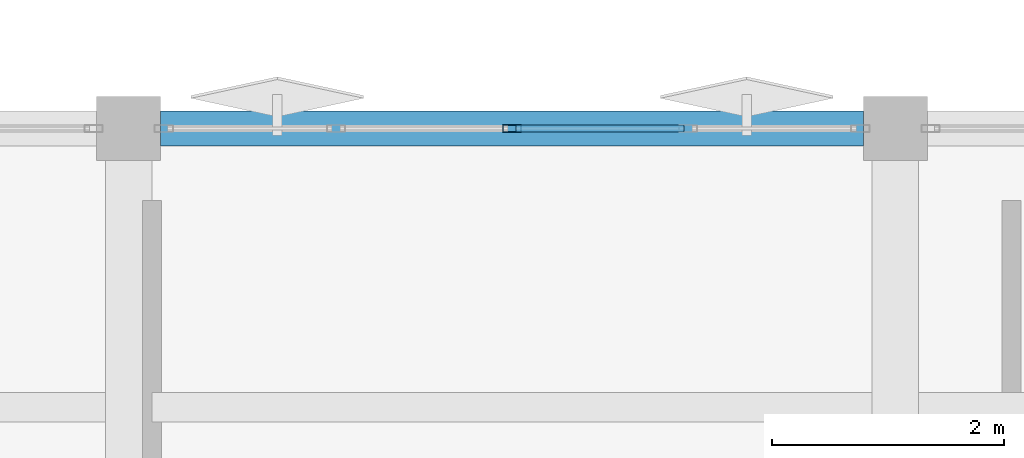
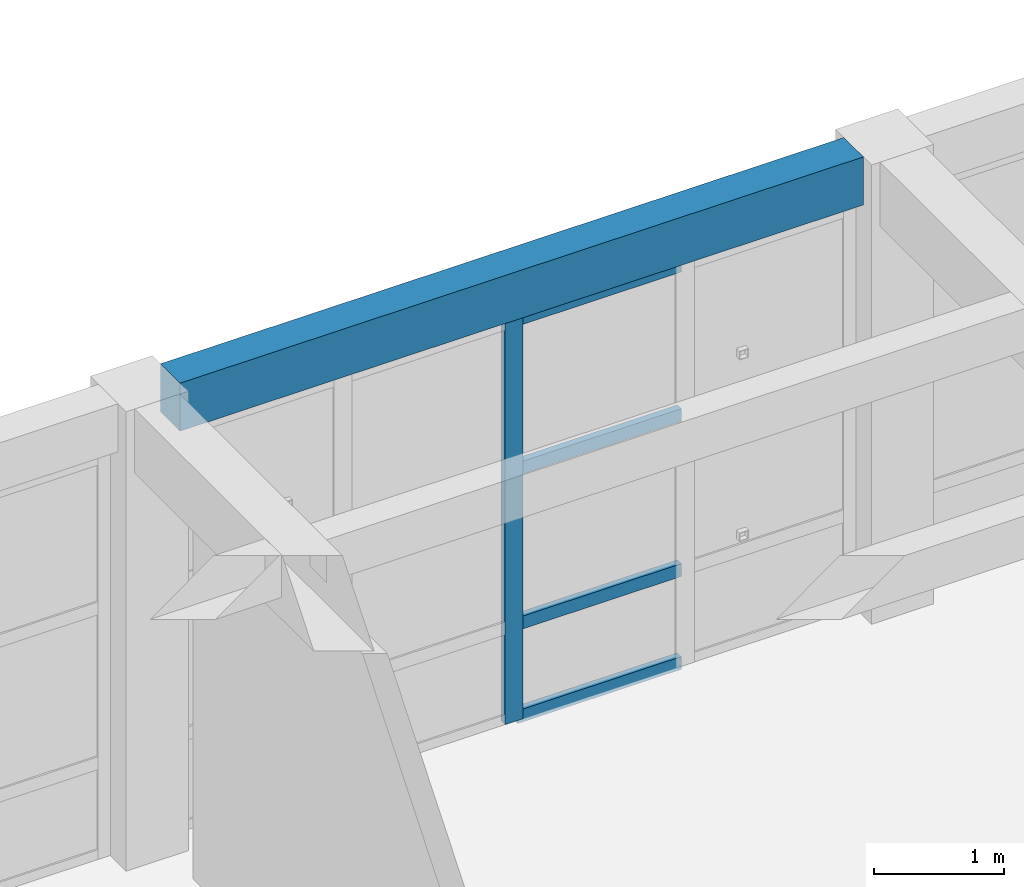
# One storey, part 17 of 36: 5 members, 1 beam, 1 element without a shape of its own.
"""IFC4 building model written with IfcOpenShell, lengths in metres."""

from ifc_helpers import new_model, si_unit, direction, frame, origin, origin_2d, place, context, subcontext, project, spatial, rectangle, hollow_rectangle, extrude, material, layer, layer_set, material_profile, profile_set, type_object, element, aggregate, save


model = new_model("IFC4")

# Units and contexts
model_context = context("Model", 3, precision=1e-05, world=origin(), true_north=direction((0.0, 1.0)))
body_context = subcontext(model_context, "Body", "Model", "MODEL_VIEW")
ifc_project = project(units=[si_unit("LENGTHUNIT", "METRE"), si_unit("AREAUNIT", "SQUARE_METRE"), si_unit("VOLUMEUNIT", "CUBIC_METRE"), si_unit("PLANEANGLEUNIT", "RADIAN"), si_unit("MASSUNIT", "GRAM", prefix="KILO")], contexts=[model_context])

# Site, building, storey
site_placement = place(None, origin())
site = spatial("IfcSite", under=ifc_project, at=site_placement, CompositionType="ELEMENT")
building_placement = place(site_placement, origin())
building = spatial("IfcBuilding", under=site, at=building_placement, Name="Kharisveld Research Institute", CompositionType="ELEMENT")
storey_placement = place(building_placement, frame((0.0, 0.0, 27.60009765625)))
storey = spatial("IfcBuildingStorey", under=building, at=storey_placement, Name="L06", CompositionType="ELEMENT", Elevation=27.60009765625)

# Curtain wall, members
ifc_material_1 = material(Name="Thermally Broken Aluminium Curtain Wall", Category="aluminium")
ifc_layer = layer(ifc_material_1, 0.159912109375)
ifc_layer_set = layer_set([ifc_layer], Name="CW_SYS_04")
curtain_wall_type = type_object("IfcCurtainWallType", Name="CW_SYS_04", PredefinedType="NOTDEFINED", material=ifc_layer_set)
curtain_wall_placement = place(storey_placement, origin())
curtain_wall = element("IfcCurtainWall", 1, at=curtain_wall_placement, inside=storey, type_object=curtain_wall_type, Name="CW:V2:L06:N4", PredefinedType="NOTDEFINED")
ifc_material_2 = material(Name="Anodised Aluminium AW-6063-T6", Category="aluminium")
ifc_material_profile_1 = material_profile(ifc_material_2, hollow_rectangle(XDim=0.06494140625, YDim=0.159912109375, WallThickness=0.00390625, at=origin_2d()))
ifc_profile_set_1 = profile_set([ifc_material_profile_1], Name="Anodised Aluminium AW-6063-T6")
member_type_1 = type_object("IfcMemberType", Name="CW_MUL_160", PredefinedType="MULLION", material=ifc_profile_set_1)
member_1_placement = place(storey_placement, frame((144.300048828125, 60.800048828125, 0.0), z_axis=(0.0, 0.0, 1.0), x_axis=(0.0, 1.0, 0.0)))
member_1 = element("IfcMember", 2, at=member_1_placement, type_object=member_type_1, Name="CW-04 mullion 3", PredefinedType="MULLION", context=body_context, shape_type="SweptSolid", body=[
    extrude(hollow_rectangle(XDim=0.06494140625, YDim=0.159912109375, WallThickness=0.00390625, at=origin_2d()), origin(), (0.0, 0.0, 1.0), 3.77978515625),
])
ifc_material_3 = material(Name="Anodised Aluminium AW-6063-T6", Category="aluminium")
ifc_material_profile_2 = material_profile(ifc_material_3, hollow_rectangle(XDim=0.06005859375, YDim=0.1201171875, WallThickness=0.00390625, at=origin_2d()))
ifc_profile_set_2 = profile_set([ifc_material_profile_2], Name="Anodised Aluminium AW-6063-T6")
member_type_2 = type_object("IfcMemberType", Name="CW_TRN_120", PredefinedType="USERDEFINED", material=ifc_profile_set_2)
member_2_placement = place(storey_placement, frame((144.33251953125, 60.800048828125, 0.02978515625), z_axis=(1.0, 0.0, 0.0), x_axis=(0.0, 1.0, 0.0)))
member_2 = element("IfcMember", 3, at=member_2_placement, type_object=member_type_2, Name="CW-04 transom 3.1", ObjectType="TRANSOM", PredefinedType="USERDEFINED", context=body_context, shape_type="SweptSolid", body=[
    extrude(hollow_rectangle(XDim=0.06005859375, YDim=0.1201171875, WallThickness=0.00390625, at=origin_2d()), origin(), (0.0, 0.0, 1.0), 1.449951171875),
])
member_3_placement = place(storey_placement, frame((144.33251953125, 60.800048828125, 0.89990234375), z_axis=(1.0, 0.0, 0.0), x_axis=(0.0, 1.0, 0.0)))
member_3 = element("IfcMember", 4, at=member_3_placement, type_object=member_type_2, Name="CW-04 transom 3.2", ObjectType="TRANSOM", PredefinedType="USERDEFINED", context=body_context, shape_type="SweptSolid", body=[
    extrude(hollow_rectangle(XDim=0.06005859375, YDim=0.1201171875, WallThickness=0.00390625, at=origin_2d()), origin(), (0.0, 0.0, 1.0), 1.449951171875),
])
member_4_placement = place(storey_placement, frame((144.33251953125, 60.800048828125, 2.349853515625), z_axis=(1.0, 0.0, 0.0), x_axis=(0.0, 1.0, 0.0)))
member_4 = element("IfcMember", 5, at=member_4_placement, type_object=member_type_2, Name="CW-04 transom 3.3", ObjectType="TRANSOM", PredefinedType="USERDEFINED", context=body_context, shape_type="SweptSolid", body=[
    extrude(hollow_rectangle(XDim=0.06005859375, YDim=0.1201171875, WallThickness=0.00390625, at=origin_2d()), origin(), (0.0, 0.0, 1.0), 1.449951171875),
])
member_5_placement = place(storey_placement, frame((144.33251953125, 60.800048828125, 3.75), z_axis=(1.0, 0.0, 0.0), x_axis=(0.0, 1.0, 0.0)))
member_5 = element("IfcMember", 6, at=member_5_placement, type_object=member_type_2, Name="CW-04 transom 3.4", ObjectType="TRANSOM", PredefinedType="USERDEFINED", context=body_context, shape_type="SweptSolid", body=[
    extrude(hollow_rectangle(XDim=0.06005859375, YDim=0.1201171875, WallThickness=0.00390625, at=origin_2d()), origin(), (0.0, 0.0, 1.0), 1.449951171875),
])
aggregate(curtain_wall, [member_1, member_2, member_3, member_4, member_5])

# Beam
ifc_material_4 = material(Name="Concrete C40/50", Category="concrete")
ifc_material_profile_3 = material_profile(ifc_material_4, rectangle(XDim=0.300048828125, YDim=0.449951171875, at=origin_2d()))
ifc_profile_set_3 = profile_set([ifc_material_profile_3], Name="Concrete C40/50")
beam_type = type_object("IfcBeamType", Name="SP_RC_300x450", PredefinedType="SPANDREL", material=ifc_profile_set_3)
beam_placement = place(storey_placement, frame((141.27490234375, 60.800048828125, 4.074951171875), z_axis=(1.0, 0.0, 0.0), x_axis=(0.0, 1.0, 0.0)))
element("IfcBeam", 7, at=beam_placement, inside=storey, type_object=beam_type, Name="BM:V2:L06:U4_3", PredefinedType="SPANDREL", context=body_context, shape_type="SweptSolid", body=[
    extrude(rectangle(XDim=0.300048828125, YDim=0.449951171875, at=origin_2d()), origin(), (0.0, 0.0, 1.0), 6.050048828125),
])

save(model, "model.ifc")
